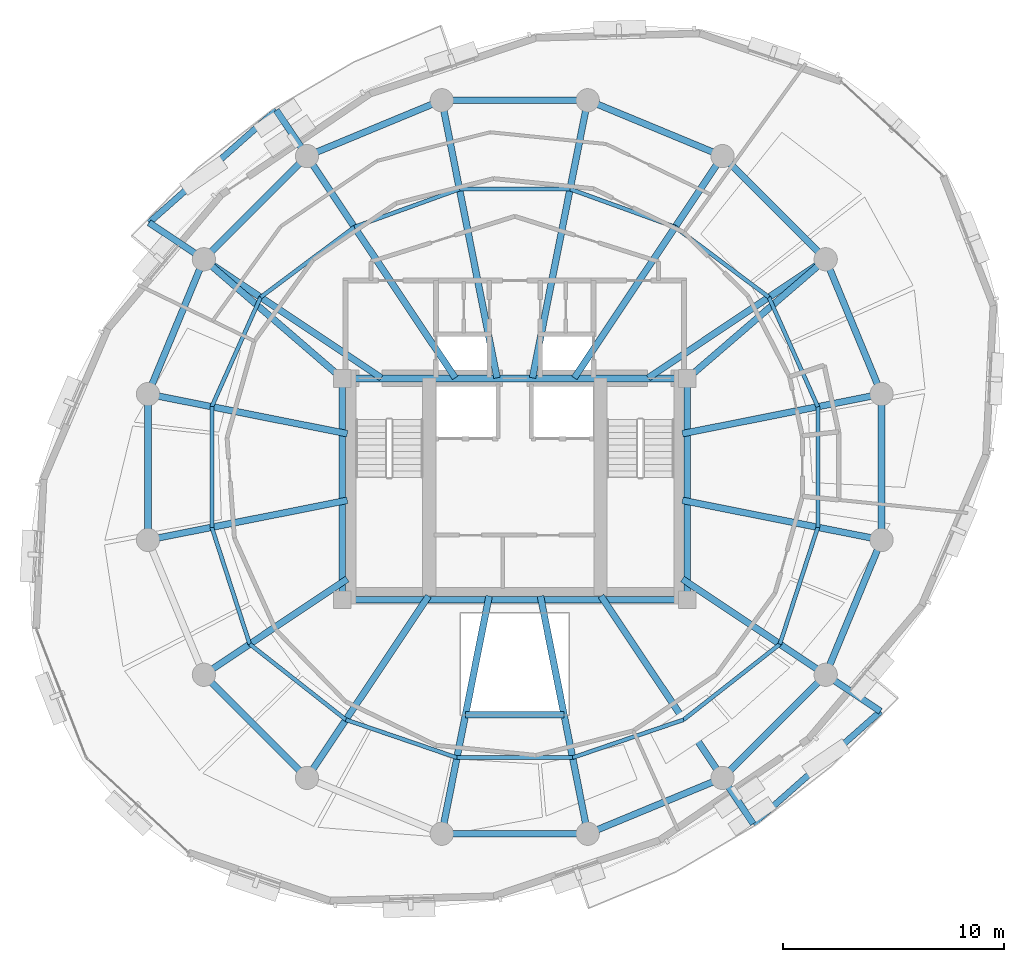
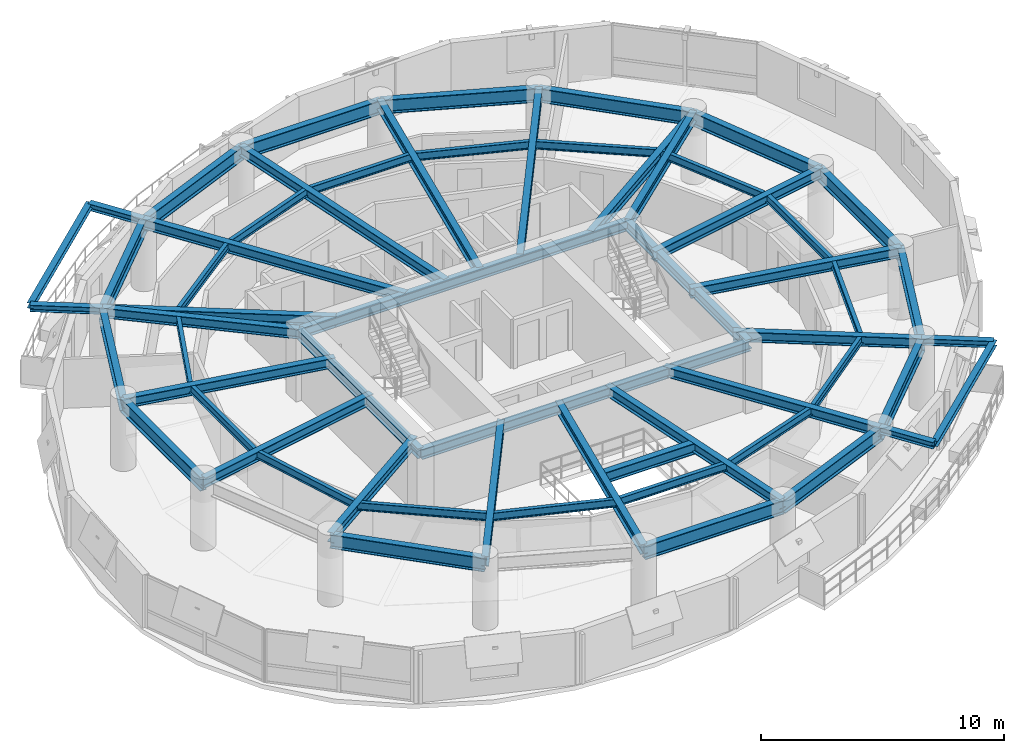
# One storey, part 5 of 12: 59 beams.
"""IFC4 building model written with IfcOpenShell, lengths in metres."""

from ifc_helpers import new_model, si_unit, direction, frame, origin, origin_2d, place, context, subcontext, project, spatial, i_section, extrude, material, material_profile, profile_set, type_object, element, save


model = new_model("IFC4")

# Units and contexts
model_context = context("Model", 3, precision=1e-05, world=origin(), true_north=direction((0.0, 1.0)))
body_context = subcontext(model_context, "Body", "Model", "MODEL_VIEW")
ifc_project = project(units=[si_unit("LENGTHUNIT", "METRE"), si_unit("AREAUNIT", "SQUARE_METRE"), si_unit("VOLUMEUNIT", "CUBIC_METRE"), si_unit("PLANEANGLEUNIT", "RADIAN"), si_unit("MASSUNIT", "GRAM", prefix="KILO"), si_unit("THERMODYNAMICTEMPERATUREUNIT", "KELVIN"), si_unit("POWERUNIT", "WATT")], contexts=[model_context])

# Site, building, storey
site_placement = place(None, origin())
site = spatial("IfcSite", under=ifc_project, at=site_placement, CompositionType="ELEMENT")
building_placement = place(site_placement, origin())
building = spatial("IfcBuilding", under=site, at=building_placement, Name="Ocrelia Relay Tower", CompositionType="ELEMENT")
storey_placement = place(building_placement, frame((0.0, 0.0, 177.199951171875)))
storey = spatial("IfcBuildingStorey", under=building, at=storey_placement, Name="L42", CompositionType="ELEMENT", Elevation=177.199951171875)

# Beams
ifc_material = material(Name="Steel S355", Category="steel")
ifc_material_profile_1 = material_profile(ifc_material, i_section(OverallWidth=0.280029296875, OverallDepth=0.27001953125, WebThickness=0.008056640625, FlangeThickness=0.012939453125, FilletRadius=0.02392578125, at=origin_2d()), Name="HEA 280")
ifc_profile_set_1 = profile_set([ifc_material_profile_1], Name="Steel S355")
beam_type_1 = type_object("IfcBeamType", Name="BM-HEA280", PredefinedType="BEAM", material=ifc_profile_set_1)
for number, where, z_axis, x_axis, name in (
    (1, (23.2236328125, 42.128173828125, 3.2451171875), (-0.749241738498, -0.662296623343, 0.0), (0.662296623343, -0.749241738498, 0.0), "L43 Balcony Edge Trimmer Beam B1"),
    (2, (44.7763671875, 9.871826171875, 3.2451171875), (0.749241738498, 0.662296623343, 0.0), (-0.662296623343, 0.749241738498, 0.0), "L43 Balcony Edge Trimmer Beam B2"),
):
    element("IfcBeam", number, at=place(storey_placement, frame(where, z_axis=z_axis, x_axis=x_axis)), inside=storey, type_object=beam_type_1, Name=name, PredefinedType="BEAM", context=body_context, shape_type="SweptSolid", body=[
        extrude(i_section(OverallWidth=0.280029296875, OverallDepth=0.27001953125, WebThickness=0.008056640625, FlangeThickness=0.012939453125, FilletRadius=0.02392578125, at=origin_2d()), origin(), (0.0, 0.0, 1.0), 7.677001953125),
    ])
ifc_material_profile_2 = material_profile(ifc_material, i_section(OverallWidth=0.300048828125, OverallDepth=0.330078125, WebThickness=0.009521484375, FlangeThickness=0.0166015625, FilletRadius=0.027099609375, at=origin_2d()), Name="HEA 340")
ifc_profile_set_2 = profile_set([ifc_material_profile_2], Name="Steel S355")
beam_type_2 = type_object("IfcBeamType", Name="BM-HEA340", PredefinedType="BEAM", material=ifc_profile_set_2)
beam_1_placement = place(storey_placement, frame((24.61083984375, 40.0517578125, 3.215087890625), z_axis=(-0.555512150175, 0.831508419084, 0.0), x_axis=(-0.831508419084, -0.555512150175, 0.0)))
element("IfcBeam", 3, at=beam_1_placement, inside=storey, type_object=beam_type_2, Name="L43 Balcony Cantilever Beam B1-1", PredefinedType="BEAM", context=body_context, shape_type="SweptSolid", body=[
    extrude(i_section(OverallWidth=0.300048828125, OverallDepth=0.330078125, WebThickness=0.009521484375, FlangeThickness=0.0166015625, FilletRadius=0.027099609375, at=origin_2d()), origin(), (0.0, 0.0, 1.0), 2.4970703125),
])
beam_2_placement = place(storey_placement, frame((19.9482421875, 35.38916015625, 3.215087890625), z_axis=(-0.831507631102, 0.555513329651, 0.0), x_axis=(-0.555513329651, -0.831507631102, 0.0)))
element("IfcBeam", 4, at=beam_2_placement, inside=storey, type_object=beam_type_2, Name="L43 Balcony Cantilever Beam B1-2", PredefinedType="BEAM", context=body_context, shape_type="SweptSolid", body=[
    extrude(i_section(OverallWidth=0.300048828125, OverallDepth=0.330078125, WebThickness=0.009521484375, FlangeThickness=0.0166015625, FilletRadius=0.027099609375, at=origin_2d()), origin(), (0.0, 0.0, 1.0), 2.978515625),
])
beam_3_placement = place(storey_placement, frame((43.38916015625, 11.9482421875, 3.215087890625), z_axis=(0.555512150175, -0.831508419084, 0.0), x_axis=(0.831508419084, 0.555512150175, 0.0)))
element("IfcBeam", 5, at=beam_3_placement, inside=storey, type_object=beam_type_2, Name="L43 Balcony Cantilever Beam B2-1", PredefinedType="BEAM", context=body_context, shape_type="SweptSolid", body=[
    extrude(i_section(OverallWidth=0.300048828125, OverallDepth=0.330078125, WebThickness=0.009521484375, FlangeThickness=0.0166015625, FilletRadius=0.027099609375, at=origin_2d()), origin(), (0.0, 0.0, 1.0), 2.4970703125),
])
beam_4_placement = place(storey_placement, frame((48.0517578125, 16.61083984375, 3.215087890625), z_axis=(0.831507631102, -0.555513329651, 0.0), x_axis=(0.555513329651, 0.831507631102, 0.0)))
element("IfcBeam", 6, at=beam_4_placement, inside=storey, type_object=beam_type_2, Name="L43 Balcony Cantilever Beam B2-2", PredefinedType="BEAM", context=body_context, shape_type="SweptSolid", body=[
    extrude(i_section(OverallWidth=0.300048828125, OverallDepth=0.330078125, WebThickness=0.009521484375, FlangeThickness=0.0166015625, FilletRadius=0.027099609375, at=origin_2d()), origin(), (0.0, 0.0, 1.0), 2.978515625),
])
ifc_material_profile_3 = material_profile(ifc_material, i_section(OverallWidth=0.300048828125, OverallDepth=0.5, WebThickness=0.014404296875, FlangeThickness=0.028076171875, FilletRadius=0.027099609375, at=origin_2d()), Name="HEB 500")
ifc_profile_set_3 = profile_set([ifc_material_profile_3], Name="Steel S355")
beam_type_3 = type_object("IfcBeamType", Name="BM-HEB500", PredefinedType="BEAM", material=ifc_profile_set_3)
for number, where, z_axis, x_axis, name in (
    (7, (26.199951171875, 20.0, 3.130126953125), (1.0, 0.0, 0.0), (0.0, 1.0, 0.0), "L42 Core Pilaster Tie Beam S"),
    (8, (26.199951171875, 30.0, 3.130126953125), (1.0, 0.0, 0.0), (0.0, 1.0, 0.0), "L42 Core Pilaster Tie Beam N"),
):
    element("IfcBeam", number, at=place(storey_placement, frame(where, z_axis=z_axis, x_axis=x_axis)), inside=storey, type_object=beam_type_3, Name=name, PredefinedType="BEAM", context=body_context, shape_type="SweptSolid", body=[
        extrude(i_section(OverallWidth=0.300048828125, OverallDepth=0.5, WebThickness=0.014404296875, FlangeThickness=0.028076171875, FilletRadius=0.027099609375, at=origin_2d()), origin(), (0.0, 0.0, 1.0), 15.60009765625),
    ])
for number, where, z_axis, x_axis, name in (
    (9, (26.199951171875, 20.0, 3.130126953125), (0.0, 1.0, 0.0), (-1.0, 0.0, 0.0), "L42 Core Pilaster Tie Beam W"),
    (10, (41.800048828125, 20.0, 3.130126953125), (0.0, 1.0, 0.0), (-1.0, 0.0, 0.0), "L42 Core Pilaster Tie Beam E"),
):
    element("IfcBeam", number, at=place(storey_placement, frame(where, z_axis=z_axis, x_axis=x_axis)), inside=storey, type_object=beam_type_3, Name=name, PredefinedType="BEAM", context=body_context, shape_type="SweptSolid", body=[
        extrude(i_section(OverallWidth=0.300048828125, OverallDepth=0.5, WebThickness=0.014404296875, FlangeThickness=0.028076171875, FilletRadius=0.027099609375, at=origin_2d()), origin(), (0.0, 0.0, 1.0), 10.0),
    ])
beam_5_placement = place(storey_placement, frame((50.5751953125, 29.297119140625, 3.130126953125), z_axis=(-0.980783891197, -0.1950973059, 0.0), x_axis=(0.1950973059, -0.980783891197, 0.0)))
element("IfcBeam", 11, at=beam_5_placement, inside=storey, type_object=beam_type_3, Name="L42 Radial Floor Girder R01", PredefinedType="BEAM", context=body_context, shape_type="SweptSolid", body=[
    extrude(i_section(OverallWidth=0.300048828125, OverallDepth=0.5, WebThickness=0.014404296875, FlangeThickness=0.028076171875, FilletRadius=0.027099609375, at=origin_2d()), origin(), (0.0, 0.0, 1.0), 9.17138671875),
])
beam_6_placement = place(storey_placement, frame((48.0517578125, 35.38916015625, 3.130126953125), z_axis=(-0.831469666235, -0.555570152305, 0.0), x_axis=(0.555570152305, -0.831469666235, 0.0)))
element("IfcBeam", 12, at=beam_6_placement, inside=storey, type_object=beam_type_3, Name="L42 Radial Floor Girder R02", PredefinedType="BEAM", context=body_context, shape_type="SweptSolid", body=[
    extrude(i_section(OverallWidth=0.300048828125, OverallDepth=0.5, WebThickness=0.014404296875, FlangeThickness=0.028076171875, FilletRadius=0.027099609375, at=origin_2d()), origin(), (0.0, 0.0, 1.0), 9.646240234375),
])
beam_7_placement = place(storey_placement, frame((48.0517578125, 35.38916015625, 3.130126953125), z_axis=(-0.757424589403, -0.652922653434, 0.0), x_axis=(0.652922653434, -0.757424589403, 0.0)))
element("IfcBeam", 13, at=beam_7_placement, inside=storey, type_object=beam_type_3, Name="L42 Core Pilaster Frame Tie Beam PT02", PredefinedType="BEAM", context=body_context, shape_type="SweptSolid", body=[
    extrude(i_section(OverallWidth=0.300048828125, OverallDepth=0.5, WebThickness=0.014404296875, FlangeThickness=0.028076171875, FilletRadius=0.027099609375, at=origin_2d()), origin(), (0.0, 0.0, 1.0), 8.25390625),
])
beam_8_placement = place(storey_placement, frame((43.38916015625, 40.0517578125, 3.130126953125), z_axis=(-0.55556932408, -0.831470219636, 0.0), x_axis=(0.831470219636, -0.55556932408, 0.0)))
element("IfcBeam", 14, at=beam_8_placement, inside=storey, type_object=beam_type_3, Name="L42 Radial Floor Girder R03", PredefinedType="BEAM", context=body_context, shape_type="SweptSolid", body=[
    extrude(i_section(OverallWidth=0.300048828125, OverallDepth=0.5, WebThickness=0.014404296875, FlangeThickness=0.028076171875, FilletRadius=0.027099609375, at=origin_2d()), origin(), (0.0, 0.0, 1.0), 12.052978515625),
])
for number, where, z_axis, x_axis, name in (
    (15, (37.297119140625, 42.5751953125, 3.130126953125), (-0.195106626135, -0.980782037171, 0.0), (0.980782037171, -0.195106626135, 0.0), "L42 Radial Floor Girder R04"),
    (16, (30.702880859375, 42.5751953125, 3.130126953125), (0.195106626135, -0.980782037171, 0.0), (0.980782037171, 0.195106626135, 0.0), "L42 Radial Floor Girder R05"),
):
    element("IfcBeam", number, at=place(storey_placement, frame(where, z_axis=z_axis, x_axis=x_axis)), inside=storey, type_object=beam_type_3, Name=name, PredefinedType="BEAM", context=body_context, shape_type="SweptSolid", body=[
        extrude(i_section(OverallWidth=0.300048828125, OverallDepth=0.5, WebThickness=0.014404296875, FlangeThickness=0.028076171875, FilletRadius=0.027099609375, at=origin_2d()), origin(), (0.0, 0.0, 1.0), 12.791015625),
    ])
beam_9_placement = place(storey_placement, frame((24.61083984375, 40.0517578125, 3.130126953125), z_axis=(0.55556932408, -0.831470219636, 0.0), x_axis=(0.831470219636, 0.55556932408, 0.0)))
element("IfcBeam", 17, at=beam_9_placement, inside=storey, type_object=beam_type_3, Name="L42 Radial Floor Girder R06", PredefinedType="BEAM", context=body_context, shape_type="SweptSolid", body=[
    extrude(i_section(OverallWidth=0.300048828125, OverallDepth=0.5, WebThickness=0.014404296875, FlangeThickness=0.028076171875, FilletRadius=0.027099609375, at=origin_2d()), origin(), (0.0, 0.0, 1.0), 12.052978515625),
])
beam_10_placement = place(storey_placement, frame((19.9482421875, 35.38916015625, 3.130126953125), z_axis=(0.831469666235, -0.555570152305, 0.0), x_axis=(0.555570152305, 0.831469666235, 0.0)))
element("IfcBeam", 18, at=beam_10_placement, inside=storey, type_object=beam_type_3, Name="L42 Radial Floor Girder R07", PredefinedType="BEAM", context=body_context, shape_type="SweptSolid", body=[
    extrude(i_section(OverallWidth=0.300048828125, OverallDepth=0.5, WebThickness=0.014404296875, FlangeThickness=0.028076171875, FilletRadius=0.027099609375, at=origin_2d()), origin(), (0.0, 0.0, 1.0), 9.646240234375),
])
beam_11_placement = place(storey_placement, frame((19.9482421875, 35.38916015625, 3.130126953125), z_axis=(0.757424589403, -0.652922653434, 0.0), x_axis=(0.652922653434, 0.757424589403, 0.0)))
element("IfcBeam", 19, at=beam_11_placement, inside=storey, type_object=beam_type_3, Name="L42 Core Pilaster Frame Tie Beam PT07", PredefinedType="BEAM", context=body_context, shape_type="SweptSolid", body=[
    extrude(i_section(OverallWidth=0.300048828125, OverallDepth=0.5, WebThickness=0.014404296875, FlangeThickness=0.028076171875, FilletRadius=0.027099609375, at=origin_2d()), origin(), (0.0, 0.0, 1.0), 8.25390625),
])
for number, where, z_axis, x_axis, name in (
    (20, (17.4248046875, 29.297119140625, 3.130126953125), (0.980784683446, -0.195093323097, 0.0), (0.195093323097, 0.980784683446, 0.0), "L42 Radial Floor Girder R08"),
    (21, (17.4248046875, 22.702880859375, 3.130126953125), (0.980784683446, 0.195093323097, 0.0), (-0.195093323097, 0.980784683446, 0.0), "L42 Radial Floor Girder R09"),
):
    element("IfcBeam", number, at=place(storey_placement, frame(where, z_axis=z_axis, x_axis=x_axis)), inside=storey, type_object=beam_type_3, Name=name, PredefinedType="BEAM", context=body_context, shape_type="SweptSolid", body=[
        extrude(i_section(OverallWidth=0.300048828125, OverallDepth=0.5, WebThickness=0.014404296875, FlangeThickness=0.028076171875, FilletRadius=0.027099609375, at=origin_2d()), origin(), (0.0, 0.0, 1.0), 9.181640625),
    ])
beam_12_placement = place(storey_placement, frame((19.9482421875, 16.61083984375, 3.130126953125), z_axis=(0.831462012084, 0.555581607382, 0.0), x_axis=(-0.555581607382, 0.831462012084, 0.0)))
element("IfcBeam", 22, at=beam_12_placement, inside=storey, type_object=beam_type_3, Name="L42 Radial Floor Girder R10", PredefinedType="BEAM", context=body_context, shape_type="SweptSolid", body=[
    extrude(i_section(OverallWidth=0.300048828125, OverallDepth=0.5, WebThickness=0.014404296875, FlangeThickness=0.028076171875, FilletRadius=0.027099609375, at=origin_2d()), origin(), (0.0, 0.0, 1.0), 7.795654296875),
])
beam_13_placement = place(storey_placement, frame((24.61083984375, 11.9482421875, 3.130126953125), z_axis=(0.555577337069, 0.831464865485, 0.0), x_axis=(-0.831464865485, 0.555577337069, 0.0)))
element("IfcBeam", 23, at=beam_13_placement, inside=storey, type_object=beam_type_3, Name="L42 Radial Floor Girder R11", PredefinedType="BEAM", context=body_context, shape_type="SweptSolid", body=[
    extrude(i_section(OverallWidth=0.300048828125, OverallDepth=0.5, WebThickness=0.014404296875, FlangeThickness=0.028076171875, FilletRadius=0.027099609375, at=origin_2d()), origin(), (0.0, 0.0, 1.0), 9.88818359375),
])
for number, where, z_axis, x_axis, name in (
    (24, (30.702880859375, 9.4248046875, 3.130126953125), (0.195100373206, 0.980783281044, 0.0), (-0.980783281044, 0.195100373206, 0.0), "L42 Radial Floor Girder R12"),
    (25, (37.297119140625, 9.4248046875, 3.130126953125), (-0.195100373206, 0.980783281044, 0.0), (-0.980783281044, -0.195100373206, 0.0), "L42 Radial Floor Girder R13"),
):
    element("IfcBeam", number, at=place(storey_placement, frame(where, z_axis=z_axis, x_axis=x_axis)), inside=storey, type_object=beam_type_3, Name=name, PredefinedType="BEAM", context=body_context, shape_type="SweptSolid", body=[
        extrude(i_section(OverallWidth=0.300048828125, OverallDepth=0.5, WebThickness=0.014404296875, FlangeThickness=0.028076171875, FilletRadius=0.027099609375, at=origin_2d()), origin(), (0.0, 0.0, 1.0), 10.95556640625),
    ])
beam_14_placement = place(storey_placement, frame((43.38916015625, 11.9482421875, 3.130126953125), z_axis=(-0.555577337069, 0.831464865485, 0.0), x_axis=(-0.831464865485, -0.555577337069, 0.0)))
element("IfcBeam", 26, at=beam_14_placement, inside=storey, type_object=beam_type_3, Name="L42 Radial Floor Girder R14", PredefinedType="BEAM", context=body_context, shape_type="SweptSolid", body=[
    extrude(i_section(OverallWidth=0.300048828125, OverallDepth=0.5, WebThickness=0.014404296875, FlangeThickness=0.028076171875, FilletRadius=0.027099609375, at=origin_2d()), origin(), (0.0, 0.0, 1.0), 9.88818359375),
])
beam_15_placement = place(storey_placement, frame((48.0517578125, 16.61083984375, 3.130126953125), z_axis=(-0.831456272244, 0.555590197309, 0.0), x_axis=(-0.555590197309, -0.831456272244, 0.0)))
element("IfcBeam", 27, at=beam_15_placement, inside=storey, type_object=beam_type_3, Name="L42 Radial Floor Girder R15", PredefinedType="BEAM", context=body_context, shape_type="SweptSolid", body=[
    extrude(i_section(OverallWidth=0.300048828125, OverallDepth=0.5, WebThickness=0.014404296875, FlangeThickness=0.028076171875, FilletRadius=0.027099609375, at=origin_2d()), origin(), (0.0, 0.0, 1.0), 7.783447265625),
])
beam_16_placement = place(storey_placement, frame((50.5751953125, 22.702880859375, 3.130126953125), z_axis=(-0.980783891197, 0.1950973059, 0.0), x_axis=(-0.1950973059, -0.980783891197, 0.0)))
element("IfcBeam", 28, at=beam_16_placement, inside=storey, type_object=beam_type_3, Name="L42 Radial Floor Girder R16", PredefinedType="BEAM", context=body_context, shape_type="SweptSolid", body=[
    extrude(i_section(OverallWidth=0.300048828125, OverallDepth=0.5, WebThickness=0.014404296875, FlangeThickness=0.028076171875, FilletRadius=0.027099609375, at=origin_2d()), origin(), (0.0, 0.0, 1.0), 9.17138671875),
])
ifc_material_profile_4 = material_profile(ifc_material, i_section(OverallWidth=0.300048828125, OverallDepth=0.550048828125, WebThickness=0.014892578125, FlangeThickness=0.029052734375, FilletRadius=0.027099609375, at=origin_2d()), Name="HEB 550")
ifc_profile_set_4 = profile_set([ifc_material_profile_4], Name="Steel S355")
beam_type_4 = type_object("IfcBeamType", Name="BM-HEB550", PredefinedType="BEAM", material=ifc_profile_set_4)
beam_17_placement = place(storey_placement, frame((31.772216796875, 14.800048828125, 3.10498046875), z_axis=(1.0, 0.0, 0.0), x_axis=(0.0, 1.0, 0.0)))
element("IfcBeam", 29, at=beam_17_placement, inside=storey, type_object=beam_type_4, Name="L42 Atrium South Trimmer Beam", PredefinedType="BEAM", context=body_context, shape_type="SweptSolid", body=[
    extrude(i_section(OverallWidth=0.300048828125, OverallDepth=0.550048828125, WebThickness=0.014892578125, FlangeThickness=0.029052734375, FilletRadius=0.027099609375, at=origin_2d()), origin(), (0.0, 0.0, 1.0), 4.45556640625),
])
ifc_material_profile_5 = material_profile(ifc_material, i_section(OverallWidth=0.300048828125, OverallDepth=0.699951171875, WebThickness=0.01708984375, FlangeThickness=0.031982421875, FilletRadius=0.027099609375, at=origin_2d()), Name="HEB 700")
ifc_profile_set_5 = profile_set([ifc_material_profile_5], Name="Steel S355")
beam_type_5 = type_object("IfcBeamType", Name="BM-HEB700", PredefinedType="BEAM", material=ifc_profile_set_5)
for number, where, z_axis, x_axis, name in (
    (30, (50.5751953125, 29.297119140625, 3.030029296875), (-0.382687508402, 0.923877844151, 0.0), (-0.923877844151, -0.382687508402, 0.0), "L42 Perimeter Spandrel Beam S01"),
    (31, (48.0517578125, 35.38916015625, 3.030029296875), (-0.707106781187, 0.707106781187, 0.0), (-0.707106781187, -0.707106781187, 0.0), "L42 Perimeter Spandrel Beam S02"),
    (32, (43.38916015625, 40.0517578125, 3.030029296875), (-0.923877844151, 0.382687508402, 0.0), (-0.382687508402, -0.923877844151, 0.0), "L42 Perimeter Spandrel Beam S03"),
):
    element("IfcBeam", number, at=place(storey_placement, frame(where, z_axis=z_axis, x_axis=x_axis)), inside=storey, type_object=beam_type_5, Name=name, PredefinedType="BEAM", context=body_context, shape_type="SweptSolid", body=[
        extrude(i_section(OverallWidth=0.300048828125, OverallDepth=0.699951171875, WebThickness=0.01708984375, FlangeThickness=0.031982421875, FilletRadius=0.027099609375, at=origin_2d()), origin(), (0.0, 0.0, 1.0), 6.593994140625),
    ])
beam_18_placement = place(storey_placement, frame((37.297119140625, 42.5751953125, 3.030029296875), z_axis=(-1.0, 0.0, 0.0), x_axis=(0.0, -1.0, 0.0)))
element("IfcBeam", 33, at=beam_18_placement, inside=storey, type_object=beam_type_5, Name="L42 Perimeter Spandrel Beam S04", PredefinedType="BEAM", context=body_context, shape_type="SweptSolid", body=[
    extrude(i_section(OverallWidth=0.300048828125, OverallDepth=0.699951171875, WebThickness=0.01708984375, FlangeThickness=0.031982421875, FilletRadius=0.027099609375, at=origin_2d()), origin(), (0.0, 0.0, 1.0), 6.59423828125),
])
for number, where, z_axis, x_axis, name in (
    (34, (30.702880859375, 42.5751953125, 3.030029296875), (-0.923877844151, -0.382687508402, 0.0), (0.382687508402, -0.923877844151, 0.0), "L42 Perimeter Spandrel Beam S05"),
    (35, (24.61083984375, 40.0517578125, 3.030029296875), (-0.707106781187, -0.707106781187, 0.0), (0.707106781187, -0.707106781187, 0.0), "L42 Perimeter Spandrel Beam S06"),
    (36, (19.9482421875, 35.38916015625, 3.030029296875), (-0.382687508402, -0.923877844151, 0.0), (0.923877844151, -0.382687508402, 0.0), "L42 Perimeter Spandrel Beam S07"),
):
    element("IfcBeam", number, at=place(storey_placement, frame(where, z_axis=z_axis, x_axis=x_axis)), inside=storey, type_object=beam_type_5, Name=name, PredefinedType="BEAM", context=body_context, shape_type="SweptSolid", body=[
        extrude(i_section(OverallWidth=0.300048828125, OverallDepth=0.699951171875, WebThickness=0.01708984375, FlangeThickness=0.031982421875, FilletRadius=0.027099609375, at=origin_2d()), origin(), (0.0, 0.0, 1.0), 6.593994140625),
    ])
beam_19_placement = place(storey_placement, frame((17.4248046875, 29.297119140625, 3.030029296875), z_axis=(0.0, -1.0, 0.0), x_axis=(1.0, 0.0, 0.0)))
element("IfcBeam", 37, at=beam_19_placement, inside=storey, type_object=beam_type_5, Name="L42 Perimeter Spandrel Beam S08", PredefinedType="BEAM", context=body_context, shape_type="SweptSolid", body=[
    extrude(i_section(OverallWidth=0.300048828125, OverallDepth=0.699951171875, WebThickness=0.01708984375, FlangeThickness=0.031982421875, FilletRadius=0.027099609375, at=origin_2d()), origin(), (0.0, 0.0, 1.0), 6.59423828125),
])
beam_20_placement = place(storey_placement, frame((19.9482421875, 16.61083984375, 3.030029296875), z_axis=(0.707106781187, -0.707106781187, 0.0), x_axis=(0.707106781187, 0.707106781187, 0.0)))
element("IfcBeam", 38, at=beam_20_placement, inside=storey, type_object=beam_type_5, Name="L42 Perimeter Spandrel Beam S10", PredefinedType="BEAM", context=body_context, shape_type="SweptSolid", body=[
    extrude(i_section(OverallWidth=0.300048828125, OverallDepth=0.699951171875, WebThickness=0.01708984375, FlangeThickness=0.031982421875, FilletRadius=0.027099609375, at=origin_2d()), origin(), (0.0, 0.0, 1.0), 6.593994140625),
])
beam_21_placement = place(storey_placement, frame((30.702880859375, 9.4248046875, 3.030029296875), z_axis=(1.0, 0.0, 0.0), x_axis=(0.0, 1.0, 0.0)))
element("IfcBeam", 39, at=beam_21_placement, inside=storey, type_object=beam_type_5, Name="L42 Perimeter Spandrel Beam S12", PredefinedType="BEAM", context=body_context, shape_type="SweptSolid", body=[
    extrude(i_section(OverallWidth=0.300048828125, OverallDepth=0.699951171875, WebThickness=0.01708984375, FlangeThickness=0.031982421875, FilletRadius=0.027099609375, at=origin_2d()), origin(), (0.0, 0.0, 1.0), 6.59423828125),
])
for number, where, z_axis, x_axis, name in (
    (40, (37.297119140625, 9.4248046875, 3.030029296875), (0.923877844151, 0.382687508402, 0.0), (-0.382687508402, 0.923877844151, 0.0), "L42 Perimeter Spandrel Beam S13"),
    (41, (43.38916015625, 11.9482421875, 3.030029296875), (0.707106781187, 0.707106781187, 0.0), (-0.707106781187, 0.707106781187, 0.0), "L42 Perimeter Spandrel Beam S14"),
    (42, (48.0517578125, 16.61083984375, 3.030029296875), (0.382687508402, 0.923877844151, 0.0), (-0.923877844151, 0.382687508402, 0.0), "L42 Perimeter Spandrel Beam S15"),
):
    element("IfcBeam", number, at=place(storey_placement, frame(where, z_axis=z_axis, x_axis=x_axis)), inside=storey, type_object=beam_type_5, Name=name, PredefinedType="BEAM", context=body_context, shape_type="SweptSolid", body=[
        extrude(i_section(OverallWidth=0.300048828125, OverallDepth=0.699951171875, WebThickness=0.01708984375, FlangeThickness=0.031982421875, FilletRadius=0.027099609375, at=origin_2d()), origin(), (0.0, 0.0, 1.0), 6.593994140625),
    ])
beam_22_placement = place(storey_placement, frame((50.5751953125, 22.702880859375, 3.030029296875), z_axis=(0.0, 1.0, 0.0), x_axis=(-1.0, 0.0, 0.0)))
element("IfcBeam", 43, at=beam_22_placement, inside=storey, type_object=beam_type_5, Name="L42 Perimeter Spandrel Beam S16", PredefinedType="BEAM", context=body_context, shape_type="SweptSolid", body=[
    extrude(i_section(OverallWidth=0.300048828125, OverallDepth=0.699951171875, WebThickness=0.01708984375, FlangeThickness=0.031982421875, FilletRadius=0.027099609375, at=origin_2d()), origin(), (0.0, 0.0, 1.0), 6.59423828125),
])
ifc_material_profile_6 = material_profile(ifc_material, i_section(OverallWidth=0.179931640625, OverallDepth=0.39990234375, WebThickness=0.008544921875, FlangeThickness=0.013427734375, FilletRadius=0.02099609375, at=origin_2d()), Name="IPE 400")
ifc_profile_set_6 = profile_set([ifc_material_profile_6], Name="Steel S355")
beam_type_6 = type_object("IfcBeamType", Name="BM-IPE400", PredefinedType="JOIST", material=ifc_profile_set_6)
beam_23_placement = place(storey_placement, frame((47.69677734375, 28.724365234375, 3.179931640625), z_axis=(-0.407938464853, 0.913009424318, 0.0), x_axis=(-0.913009424318, -0.407938464853, 0.0)))
element("IfcBeam", 44, at=beam_23_placement, inside=storey, type_object=beam_type_6, Name="L42 Secondary Floor Joist J01", PredefinedType="JOIST", context=body_context, shape_type="SweptSolid", body=[
    extrude(i_section(OverallWidth=0.179931640625, OverallDepth=0.39990234375, WebThickness=0.008544921875, FlangeThickness=0.013427734375, FilletRadius=0.02099609375, at=origin_2d()), origin(), (0.0, 0.0, 1.0), 5.421630859375),
])
beam_24_placement = place(storey_placement, frame((45.485107421875, 33.67431640625, 3.179931640625), z_axis=(-0.800785247359, 0.598951573678, 0.0), x_axis=(-0.598951573678, -0.800785247359, 0.0)))
element("IfcBeam", 45, at=beam_24_placement, inside=storey, type_object=beam_type_6, Name="L42 Secondary Floor Joist J02", PredefinedType="JOIST", context=body_context, shape_type="SweptSolid", body=[
    extrude(i_section(OverallWidth=0.179931640625, OverallDepth=0.39990234375, WebThickness=0.008544921875, FlangeThickness=0.013427734375, FilletRadius=0.02099609375, at=origin_2d()), origin(), (0.0, 0.0, 1.0), 5.293212890625),
])
beam_25_placement = place(storey_placement, frame((41.246337890625, 36.8447265625, 3.179931640625), z_axis=(-0.940453871246, 0.339921338046, 0.0), x_axis=(-0.339921338046, -0.940453871246, 0.0)))
element("IfcBeam", 46, at=beam_25_placement, inside=storey, type_object=beam_type_6, Name="L42 Secondary Floor Joist J03", PredefinedType="JOIST", context=body_context, shape_type="SweptSolid", body=[
    extrude(i_section(OverallWidth=0.179931640625, OverallDepth=0.39990234375, WebThickness=0.008544921875, FlangeThickness=0.013427734375, FilletRadius=0.02099609375, at=origin_2d()), origin(), (0.0, 0.0, 1.0), 5.04833984375),
])
beam_26_placement = place(storey_placement, frame((36.49853515625, 38.560791015625, 3.179931640625), z_axis=(-1.0, 0.0, 0.0), x_axis=(0.0, -1.0, 0.0)))
element("IfcBeam", 47, at=beam_26_placement, inside=storey, type_object=beam_type_6, Name="L42 Secondary Floor Joist J04", PredefinedType="JOIST", context=body_context, shape_type="SweptSolid", body=[
    extrude(i_section(OverallWidth=0.179931640625, OverallDepth=0.39990234375, WebThickness=0.008544921875, FlangeThickness=0.013427734375, FilletRadius=0.02099609375, at=origin_2d()), origin(), (0.0, 0.0, 1.0), 4.9970703125),
])
beam_27_placement = place(storey_placement, frame((31.50146484375, 38.560791015625, 3.179931640625), z_axis=(-0.940453871246, -0.339921338046, 0.0), x_axis=(0.339921338046, -0.940453871246, 0.0)))
element("IfcBeam", 48, at=beam_27_placement, inside=storey, type_object=beam_type_6, Name="L42 Secondary Floor Joist J05", PredefinedType="JOIST", context=body_context, shape_type="SweptSolid", body=[
    extrude(i_section(OverallWidth=0.179931640625, OverallDepth=0.39990234375, WebThickness=0.008544921875, FlangeThickness=0.013427734375, FilletRadius=0.02099609375, at=origin_2d()), origin(), (0.0, 0.0, 1.0), 5.04833984375),
])
beam_28_placement = place(storey_placement, frame((26.753662109375, 36.8447265625, 3.179931640625), z_axis=(-0.800785247359, -0.598951573678, 0.0), x_axis=(0.598951573678, -0.800785247359, 0.0)))
element("IfcBeam", 49, at=beam_28_placement, inside=storey, type_object=beam_type_6, Name="L42 Secondary Floor Joist J06", PredefinedType="JOIST", context=body_context, shape_type="SweptSolid", body=[
    extrude(i_section(OverallWidth=0.179931640625, OverallDepth=0.39990234375, WebThickness=0.008544921875, FlangeThickness=0.013427734375, FilletRadius=0.02099609375, at=origin_2d()), origin(), (0.0, 0.0, 1.0), 5.293212890625),
])
beam_29_placement = place(storey_placement, frame((22.514892578125, 33.67431640625, 3.179931640625), z_axis=(-0.407416785709, -0.913242335157, 0.0), x_axis=(0.913242335157, -0.407416785709, 0.0)))
element("IfcBeam", 50, at=beam_29_placement, inside=storey, type_object=beam_type_6, Name="L42 Secondary Floor Joist J07", PredefinedType="JOIST", context=body_context, shape_type="SweptSolid", body=[
    extrude(i_section(OverallWidth=0.179931640625, OverallDepth=0.39990234375, WebThickness=0.008544921875, FlangeThickness=0.013427734375, FilletRadius=0.02099609375, at=origin_2d()), origin(), (0.0, 0.0, 1.0), 5.420654296875),
])
beam_30_placement = place(storey_placement, frame((20.306396484375, 28.723876953125, 3.179931640625), z_axis=(0.0, -1.0, 0.0), x_axis=(1.0, 0.0, 0.0)))
element("IfcBeam", 51, at=beam_30_placement, inside=storey, type_object=beam_type_6, Name="L42 Secondary Floor Joist J08", PredefinedType="JOIST", context=body_context, shape_type="SweptSolid", body=[
    extrude(i_section(OverallWidth=0.179931640625, OverallDepth=0.39990234375, WebThickness=0.008544921875, FlangeThickness=0.013427734375, FilletRadius=0.02099609375, at=origin_2d()), origin(), (0.0, 0.0, 1.0), 5.44775390625),
])
beam_31_placement = place(storey_placement, frame((20.306396484375, 23.276123046875, 3.179931640625), z_axis=(0.309133805786, -0.951018554036, 0.0), x_axis=(0.951018554036, 0.309133805786, 0.0)))
element("IfcBeam", 52, at=beam_31_placement, inside=storey, type_object=beam_type_6, Name="L42 Secondary Floor Joist J09", PredefinedType="JOIST", context=body_context, shape_type="SweptSolid", body=[
    extrude(i_section(OverallWidth=0.179931640625, OverallDepth=0.39990234375, WebThickness=0.008544921875, FlangeThickness=0.013427734375, FilletRadius=0.02099609375, at=origin_2d()), origin(), (0.0, 0.0, 1.0), 5.55126953125),
])
beam_32_placement = place(storey_placement, frame((22.0224609375, 17.996826171875, 3.179931640625), z_axis=(0.786083859045, -0.618119864224, 0.0), x_axis=(0.618119864224, 0.786083859045, 0.0)))
element("IfcBeam", 53, at=beam_32_placement, inside=storey, type_object=beam_type_6, Name="L42 Secondary Floor Joist J10", PredefinedType="JOIST", context=body_context, shape_type="SweptSolid", body=[
    extrude(i_section(OverallWidth=0.179931640625, OverallDepth=0.39990234375, WebThickness=0.008544921875, FlangeThickness=0.013427734375, FilletRadius=0.02099609375, at=origin_2d()), origin(), (0.0, 0.0, 1.0), 5.529296875),
])
beam_33_placement = place(storey_placement, frame((26.368896484375, 14.5791015625, 3.179931640625), z_axis=(0.946215174492, -0.323538009454, 0.0), x_axis=(0.323538009454, 0.946215174492, 0.0)))
element("IfcBeam", 54, at=beam_33_placement, inside=storey, type_object=beam_type_6, Name="L42 Secondary Floor Joist J11", PredefinedType="JOIST", context=body_context, shape_type="SweptSolid", body=[
    extrude(i_section(OverallWidth=0.179931640625, OverallDepth=0.39990234375, WebThickness=0.008544921875, FlangeThickness=0.013427734375, FilletRadius=0.02099609375, at=origin_2d()), origin(), (0.0, 0.0, 1.0), 5.30322265625),
])
beam_34_placement = place(storey_placement, frame((31.386962890625, 12.86328125, 3.179931640625), z_axis=(1.0, 0.0, 0.0), x_axis=(0.0, 1.0, 0.0)))
element("IfcBeam", 55, at=beam_34_placement, inside=storey, type_object=beam_type_6, Name="L42 Secondary Floor Joist J12", PredefinedType="JOIST", context=body_context, shape_type="SweptSolid", body=[
    extrude(i_section(OverallWidth=0.179931640625, OverallDepth=0.39990234375, WebThickness=0.008544921875, FlangeThickness=0.013427734375, FilletRadius=0.02099609375, at=origin_2d()), origin(), (0.0, 0.0, 1.0), 5.22607421875),
])
beam_35_placement = place(storey_placement, frame((36.613037109375, 12.86328125, 3.179931640625), z_axis=(0.946215174492, 0.323538009454, 0.0), x_axis=(-0.323538009454, 0.946215174492, 0.0)))
element("IfcBeam", 56, at=beam_35_placement, inside=storey, type_object=beam_type_6, Name="L42 Secondary Floor Joist J13", PredefinedType="JOIST", context=body_context, shape_type="SweptSolid", body=[
    extrude(i_section(OverallWidth=0.179931640625, OverallDepth=0.39990234375, WebThickness=0.008544921875, FlangeThickness=0.013427734375, FilletRadius=0.02099609375, at=origin_2d()), origin(), (0.0, 0.0, 1.0), 5.30322265625),
])
beam_36_placement = place(storey_placement, frame((41.631103515625, 14.5791015625, 3.179931640625), z_axis=(0.78649600233, 0.617595367793, 0.0), x_axis=(-0.617595367793, 0.78649600233, 0.0)))
element("IfcBeam", 57, at=beam_36_placement, inside=storey, type_object=beam_type_6, Name="L42 Secondary Floor Joist J14", PredefinedType="JOIST", context=body_context, shape_type="SweptSolid", body=[
    extrude(i_section(OverallWidth=0.179931640625, OverallDepth=0.39990234375, WebThickness=0.008544921875, FlangeThickness=0.013427734375, FilletRadius=0.02099609375, at=origin_2d()), origin(), (0.0, 0.0, 1.0), 5.5302734375),
])
beam_37_placement = place(storey_placement, frame((45.980712890625, 17.99462890625, 3.179931640625), z_axis=(0.309043322978, 0.95104796121, 0.0), x_axis=(-0.95104796121, 0.309043322978, 0.0)))
element("IfcBeam", 58, at=beam_37_placement, inside=storey, type_object=beam_type_6, Name="L42 Secondary Floor Joist J15", PredefinedType="JOIST", context=body_context, shape_type="SweptSolid", body=[
    extrude(i_section(OverallWidth=0.179931640625, OverallDepth=0.39990234375, WebThickness=0.008544921875, FlangeThickness=0.013427734375, FilletRadius=0.02099609375, at=origin_2d()), origin(), (0.0, 0.0, 1.0), 5.552734375),
])
beam_38_placement = place(storey_placement, frame((47.69677734375, 23.275634765625, 3.179931640625), z_axis=(0.0, 1.0, 0.0), x_axis=(-1.0, 0.0, 0.0)))
element("IfcBeam", 59, at=beam_38_placement, inside=storey, type_object=beam_type_6, Name="L42 Secondary Floor Joist J16", PredefinedType="JOIST", context=body_context, shape_type="SweptSolid", body=[
    extrude(i_section(OverallWidth=0.179931640625, OverallDepth=0.39990234375, WebThickness=0.008544921875, FlangeThickness=0.013427734375, FilletRadius=0.02099609375, at=origin_2d()), origin(), (0.0, 0.0, 1.0), 5.44873046875),
])

save(model, "model.ifc")
